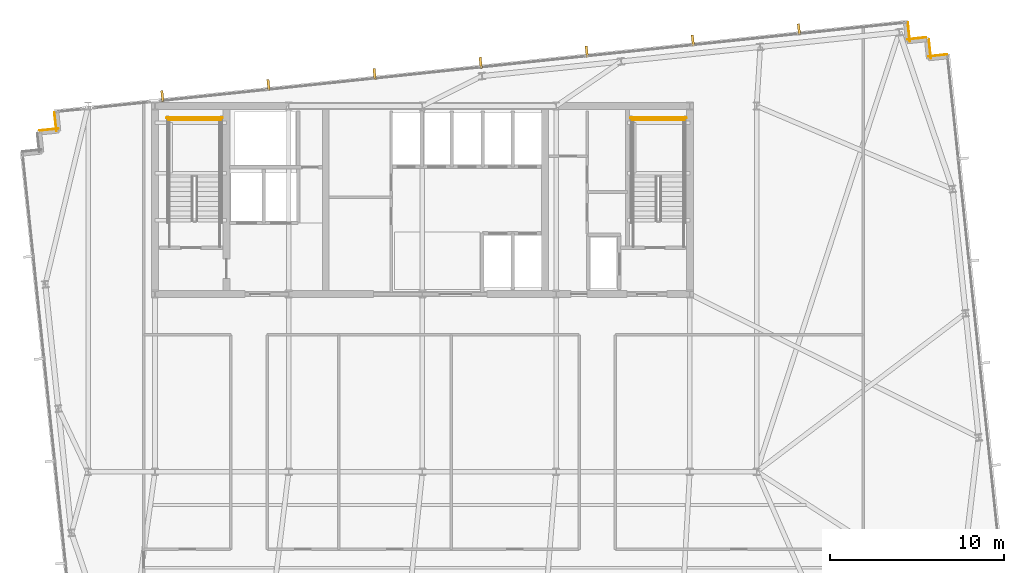
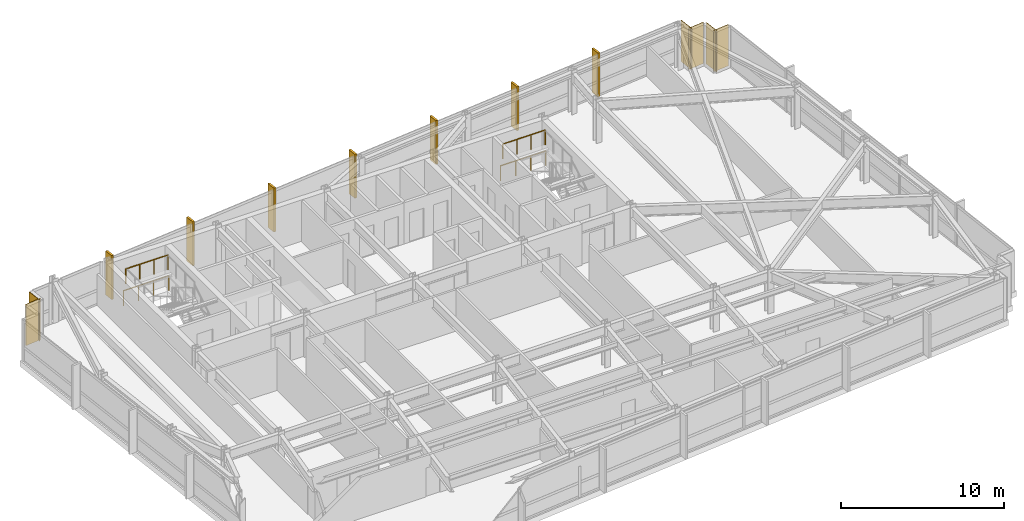
# One storey, part 26 of 26: 7 shading devices, 6 coverings, 4 railings.
"""IFC4 building model written with IfcOpenShell, lengths in metres."""

from ifc_helpers import new_model, si_unit, direction, frame, frame_2d, origin, origin_2d, place, context, subcontext, project, spatial, rectangle, circle, extrude, material, layer, layer_set, type_object, element, save


model = new_model("IFC4")

# Units and contexts
model_context = context("Model", 3, precision=1e-05, world=origin(), true_north=direction((0.0, 1.0)))
body_context = subcontext(model_context, "Body", "Model", "MODEL_VIEW")
ifc_project = project(units=[si_unit("LENGTHUNIT", "METRE"), si_unit("AREAUNIT", "SQUARE_METRE"), si_unit("VOLUMEUNIT", "CUBIC_METRE"), si_unit("PLANEANGLEUNIT", "RADIAN"), si_unit("MASSUNIT", "GRAM", prefix="KILO")], contexts=[model_context])

# Site, building, storey
site_placement = place(None, origin())
site = spatial("IfcSite", under=ifc_project, at=site_placement, CompositionType="ELEMENT")
building_placement = place(site_placement, origin())
building = spatial("IfcBuilding", under=site, at=building_placement, Name="Yelkora Congress Tower", CompositionType="ELEMENT")
storey_placement = place(building_placement, frame((0.0, 0.0, 204.5)))
storey = spatial("IfcBuildingStorey", under=building, at=storey_placement, Name="L56", CompositionType="ELEMENT", Elevation=204.5)

# Coverings
ifc_material_1 = material(Name="Anatolian bush-hammered limestone", Category="masonry")
ifc_layer_1 = layer(ifc_material_1, 0.0400390625)
ifc_layer_set_1 = layer_set([ifc_layer_1], Name="Anatolian bush-hammered limestone")
covering_type = type_object("IfcCoveringType", Name="COV-CLAD-SPANDREL-40", PredefinedType="CLADDING", material=ifc_layer_set_1)
for number, where, z_axis, x_axis, name in (
    (1, (16.406005859375, 44.7880859375, 0.0), (0.0, 0.0, 1.0), (0.994544300928, 0.104315068386, 0.0), "L56 Anatolian Limestone Cladding EW-L56-SR08"),
    (2, (17.379638671875, 44.75439453125, 0.0), (0.0, 0.0, 1.0), (-0.104534592565, 0.994521251134, 0.0), "L56 Anatolian Limestone Cladding EW-L56-SR09"),
    (3, (66.284912109375, 51.000732421875, 0.0), (0.0, 0.0, 1.0), (0.104534592565, -0.994521251134, 0.0), "L56 Anatolian Limestone Cladding EW-L56-SR11"),
):
    element("IfcCovering", number, at=place(storey_placement, frame(where, z_axis=z_axis, x_axis=x_axis)), inside=storey, type_object=covering_type, Name=name, PredefinedType="CLADDING", context=body_context, shape_type="SweptSolid", body=[
        extrude(rectangle(XDim=1.10009765625, YDim=0.0400390625, at=frame_2d((0.550048828125, 0.0))), origin(), (0.0, 0.0, 1.0), 3.080078125),
    ])
covering_placement = place(storey_placement, frame((66.25146484375, 50.02685546875, 0.0), z_axis=(0.0, 0.0, 1.0), x_axis=(0.994518825066, 0.104557671117, 0.0)))
element("IfcCovering", 4, at=covering_placement, inside=storey, type_object=covering_type, Name="L56 Anatolian Limestone Cladding EW-L56-SR12", PredefinedType="CLADDING", context=body_context, shape_type="SweptSolid", body=[
    extrude(rectangle(XDim=1.099853515625, YDim=0.0400390625, at=frame_2d((0.5498046875, 0.0))), origin(), (0.0, 0.0, 1.0), 3.080078125),
])
for number, where, z_axis, x_axis, name in (
    (5, (67.49365234375, 50.021728515625, 0.0), (0.0, 0.0, 1.0), (0.104534592565, -0.994521251134, 0.0), "L56 Anatolian Limestone Cladding EW-L56-SR13"),
    (6, (67.460205078125, 49.0478515625, 0.0), (0.0, 0.0, 1.0), (0.994521251134, 0.104534592565, 0.0), "L56 Anatolian Limestone Cladding EW-L56-SR14"),
):
    element("IfcCovering", number, at=place(storey_placement, frame(where, z_axis=z_axis, x_axis=x_axis)), inside=storey, type_object=covering_type, Name=name, PredefinedType="CLADDING", context=body_context, shape_type="SweptSolid", body=[
        extrude(rectangle(XDim=1.10009765625, YDim=0.0400390625, at=frame_2d((0.550048828125, 0.0))), origin(), (0.0, 0.0, 1.0), 3.080078125),
    ])

# Railings
ifc_material_2 = material(Name="Painted galvanised steel stair well guard with vertical infill", Category="steel")
ifc_layer_2 = layer(ifc_material_2, 0.06005859375)
ifc_layer_set_2 = layer_set([ifc_layer_2], Name="Painted galvanised steel stair well guard with vertical infill")
railing_type = type_object("IfcRailingType", Name="RAIL-STAIR-GUARD-1120", PredefinedType="GUARDRAIL", material=ifc_layer_set_2)
railing_1_placement = place(storey_placement, frame((26.820068359375, 45.419921875, 1.64990234375)))
element("IfcRailing", 7, at=railing_1_placement, inside=storey, type_object=railing_type, Name="ST-01 L56 Stair Well Guardrail 5", PredefinedType="GUARDRAIL", context=body_context, shape_type="SweptSolid", body=[
    extrude(circle(Radius=0.02392578125, at=origin_2d()), frame((0.0, 0.0, 1.09619140625), z_axis=(-1.0, 0.0, 0.0), x_axis=(0.0, -1.0, 0.0)), (0.0, 0.0, 1.0), 3.0),
    extrude(circle(Radius=0.02099609375, at=origin_2d()), origin(), (0.0, 0.0, 1.0), 1.072021484375),
    extrude(circle(Radius=0.02099609375, at=origin_2d()), frame((-1.0, 0.0, 0.0)), (0.0, 0.0, 1.0), 1.072021484375),
    extrude(circle(Radius=0.02099609375, at=origin_2d()), frame((-2.0, 0.0, 0.0)), (0.0, 0.0, 1.0), 1.072021484375),
    extrude(circle(Radius=0.02099609375, at=origin_2d()), frame((-3.0, 0.0, 0.0)), (0.0, 0.0, 1.0), 1.072021484375),
])
railing_2_placement = place(storey_placement, frame((26.919921875, 45.52001953125, 0.0)))
element("IfcRailing", 8, at=railing_2_placement, inside=storey, type_object=railing_type, Name="ST-01 L56 Stair Well Guardrail 12", PredefinedType="GUARDRAIL", context=body_context, shape_type="SweptSolid", body=[
    extrude(circle(Radius=0.02392578125, at=origin_2d()), frame((0.0, 0.0, 1.09619140625), z_axis=(-1.0, 0.0, 0.0), x_axis=(0.0, -1.0, 0.0)), (0.0, 0.0, 1.0), 3.199951171875),
    extrude(circle(Radius=0.02099609375, at=origin_2d()), origin(), (0.0, 0.0, 1.0), 1.072021484375),
    extrude(circle(Radius=0.02099609375, at=origin_2d()), frame((-1.066650390625, 0.0, 0.0)), (0.0, 0.0, 1.0), 1.072021484375),
    extrude(circle(Radius=0.02099609375, at=origin_2d()), frame((-2.13330078125, 0.0, 0.0)), (0.0, 0.0, 1.0), 1.072021484375),
    extrude(circle(Radius=0.02099609375, at=origin_2d()), frame((-3.199951171875, 0.0, 0.0)), (0.0, 0.0, 1.0), 1.072021484375),
])
railing_3_placement = place(storey_placement, frame((53.4599609375, 45.419921875, 1.64990234375)))
element("IfcRailing", 9, at=railing_3_placement, inside=storey, type_object=railing_type, Name="ST-02 L56 Stair Well Guardrail 5", PredefinedType="GUARDRAIL", context=body_context, shape_type="SweptSolid", body=[
    extrude(circle(Radius=0.02392578125, at=origin_2d()), frame((0.0, 0.0, 1.09619140625), z_axis=(-1.0, 0.0, 0.0), x_axis=(0.0, -1.0, 0.0)), (0.0, 0.0, 1.0), 3.0),
    extrude(circle(Radius=0.02099609375, at=origin_2d()), origin(), (0.0, 0.0, 1.0), 1.072021484375),
    extrude(circle(Radius=0.02099609375, at=origin_2d()), frame((-1.0, 0.0, 0.0)), (0.0, 0.0, 1.0), 1.072021484375),
    extrude(circle(Radius=0.02099609375, at=origin_2d()), frame((-2.0, 0.0, 0.0)), (0.0, 0.0, 1.0), 1.072021484375),
    extrude(circle(Radius=0.02099609375, at=origin_2d()), frame((-3.0, 0.0, 0.0)), (0.0, 0.0, 1.0), 1.072021484375),
])
railing_4_placement = place(storey_placement, frame((53.56005859375, 45.52001953125, 0.0)))
element("IfcRailing", 10, at=railing_4_placement, inside=storey, type_object=railing_type, Name="ST-02 L56 Stair Well Guardrail 12", PredefinedType="GUARDRAIL", context=body_context, shape_type="SweptSolid", body=[
    extrude(circle(Radius=0.02392578125, at=origin_2d()), frame((0.0, 0.0, 1.09619140625), z_axis=(-1.0, 0.0, 0.0), x_axis=(0.0, -1.0, 0.0)), (0.0, 0.0, 1.0), 3.199951171875),
    extrude(circle(Radius=0.02099609375, at=origin_2d()), origin(), (0.0, 0.0, 1.0), 1.072021484375),
    extrude(circle(Radius=0.02099609375, at=origin_2d()), frame((-1.066650390625, 0.0, 0.0)), (0.0, 0.0, 1.0), 1.072021484375),
    extrude(circle(Radius=0.02099609375, at=origin_2d()), frame((-2.13330078125, 0.0, 0.0)), (0.0, 0.0, 1.0), 1.072021484375),
    extrude(circle(Radius=0.02099609375, at=origin_2d()), frame((-3.199951171875, 0.0, 0.0)), (0.0, 0.0, 1.0), 1.072021484375),
])

# Shading devices
ifc_material_3 = material(Name="Champagne anodised aluminium", Category="aluminium")
ifc_layer_3 = layer(ifc_material_3, 3.39990234375)
ifc_layer_set_3 = layer_set([ifc_layer_3], Name="Champagne anodised aluminium")
shading_device_type = type_object("IfcShadingDeviceType", Name="SHD-FIN-ALU-640", PredefinedType="USERDEFINED", material=ifc_layer_set_3)
for number, where, z_axis, x_axis, name in (
    (11, (23.4658203125, 46.76171875, -0.02978515625), (0.0, 0.0, 1.0), (0.994521895368, 0.104528463268, 0.0), "L56 Vertical Anodised Solar Fin 10-1"),
    (12, (29.559814453125, 47.402099609375, -0.02978515625), (0.0, 0.0, 1.0), (0.994521895368, 0.104528463268, 0.0), "L56 Vertical Anodised Solar Fin 10-2"),
    (13, (35.653564453125, 48.042724609375, -0.02978515625), (0.0, 0.0, 1.0), (0.994521895368, 0.104528463268, 0.0), "L56 Vertical Anodised Solar Fin 10-3"),
    (14, (41.74755859375, 48.68310546875, -0.02978515625), (0.0, 0.0, 1.0), (0.994521895368, 0.104528463268, 0.0), "L56 Vertical Anodised Solar Fin 10-4"),
    (15, (47.841552734375, 49.32373046875, -0.02978515625), (0.0, 0.0, 1.0), (0.994521895368, 0.104528463268, 0.0), "L56 Vertical Anodised Solar Fin 10-5"),
    (16, (53.935302734375, 49.964111328125, -0.02978515625), (0.0, 0.0, 1.0), (0.994521895368, 0.104528463268, 0.0), "L56 Vertical Anodised Solar Fin 10-6"),
    (17, (60.029296875, 50.604736328125, -0.02978515625), (0.0, 0.0, 1.0), (0.994521895368, 0.104528463268, 0.0), "L56 Vertical Anodised Solar Fin 10-7"),
):
    element("IfcShadingDevice", number, at=place(storey_placement, frame(where, z_axis=z_axis, x_axis=x_axis)), inside=storey, type_object=shading_device_type, Name=name, ObjectType="FIN", PredefinedType="USERDEFINED", context=body_context, shape_type="SweptSolid", body=[
        extrude(rectangle(XDim=0.139892578125, YDim=0.639892578125, at=origin_2d()), origin(), (0.0, 0.0, 1.0), 3.280029296875),
    ])

save(model, "model.ifc")
